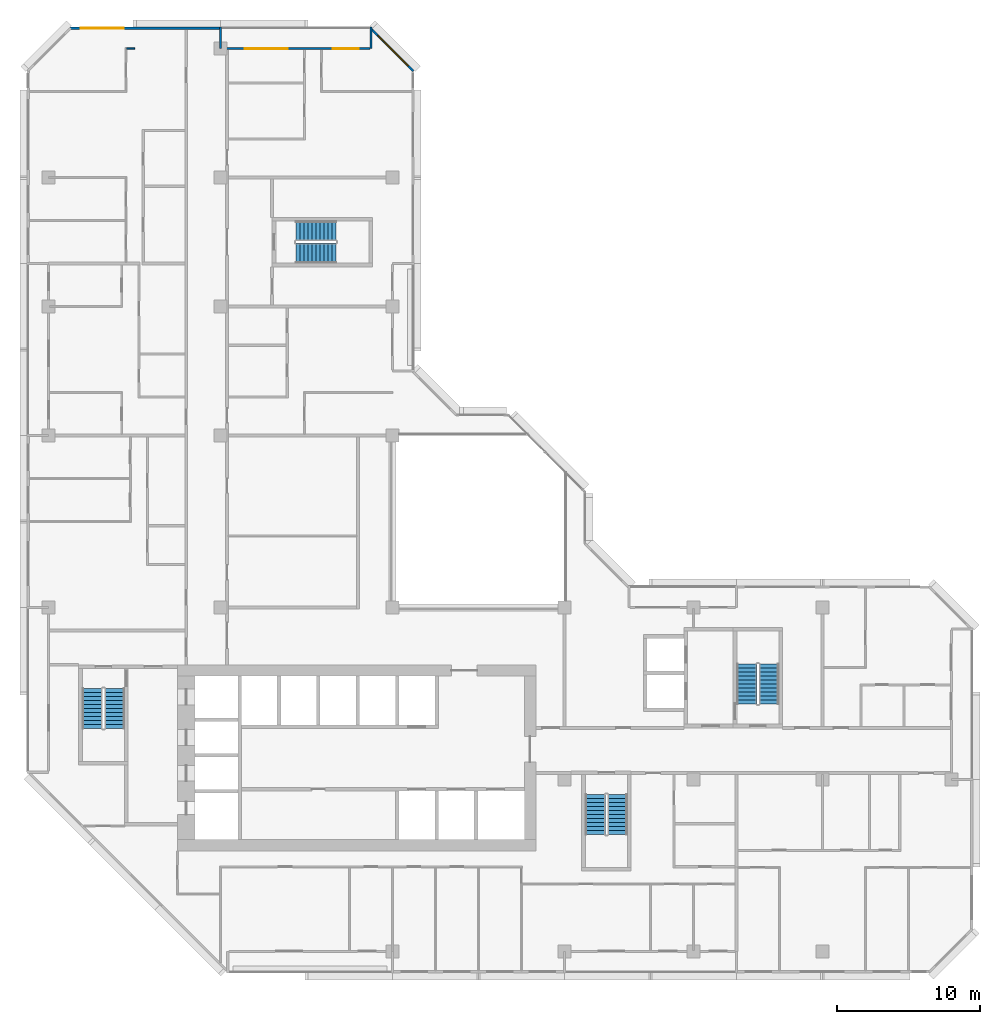
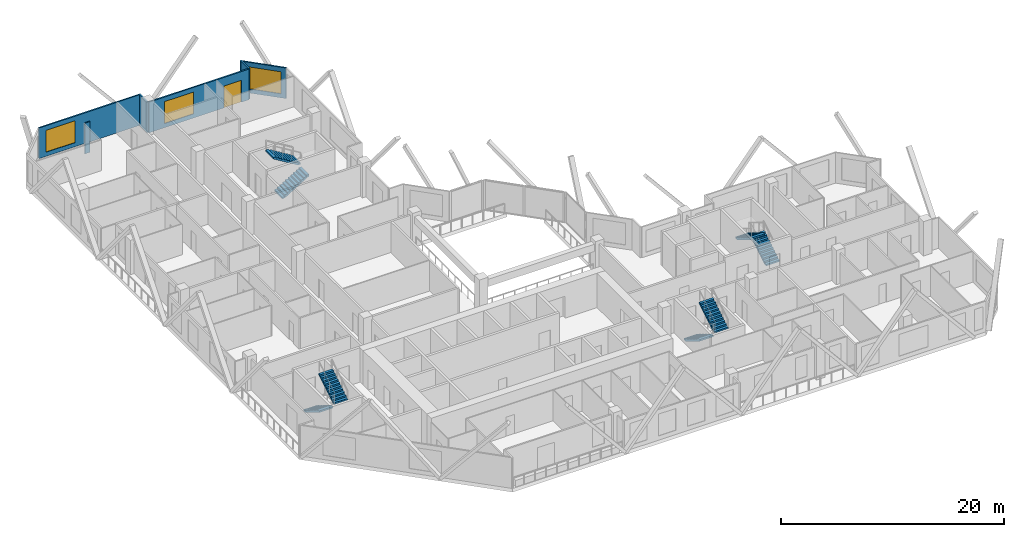
# One storey, part 12 of 14: 8 stair flights, 6 walls, 3 windows, 1 door, 4 openings, 4 elements without a shape of their own.
"""IFC4 building model written with IfcOpenShell, lengths in metres."""

from ifc_helpers import new_model, si_unit, direction, frame, frame_2d, origin, place, context, subcontext, project, spatial, polyline, rectangle, outline, extrude, material, layer, layer_set, type_object, element, fill, aggregate, save


model = new_model("IFC4")

# Units and contexts
model_context = context("Model", 3, precision=1e-05, world=origin(), true_north=direction((0.0, 1.0)))
body_context = subcontext(model_context, "Body", "Model", "MODEL_VIEW")
ifc_project = project(units=[si_unit("LENGTHUNIT", "METRE"), si_unit("AREAUNIT", "SQUARE_METRE"), si_unit("VOLUMEUNIT", "CUBIC_METRE"), si_unit("PLANEANGLEUNIT", "RADIAN"), si_unit("MASSUNIT", "GRAM", prefix="KILO")], contexts=[model_context])

# Site, building, storey
site_placement = place(None, origin())
site = spatial("IfcSite", under=ifc_project, at=site_placement, CompositionType="ELEMENT")
building_placement = place(site_placement, origin())
building = spatial("IfcBuilding", under=site, at=building_placement, Name="Chenar Terraces", CompositionType="ELEMENT")
storey_placement = place(building_placement, frame((0.0, 0.0, 179.89990234375)))
storey = spatial("IfcBuildingStorey", under=building, at=storey_placement, Name="L41", CompositionType="ELEMENT", Elevation=179.89990234375)

# Wall, opening, window
ifc_material_1 = material(Name="Aluminium framed glazing", Category="aluminium")
ifc_layer_1 = layer(ifc_material_1, 0.14990234375)
ifc_layer_set_1 = layer_set([ifc_layer_1], Name="Aluminium framed glazing")
wall_type_1 = type_object("IfcWallType", Name="Glazed flush facade wall 150", PredefinedType="SOLIDWALL", material=ifc_layer_set_1)
wall_1_placement = place(storey_placement, frame((11.925048828125, 64.425048828125, 0.0), z_axis=(0.0, 0.0, 1.0), x_axis=(-1.0, 0.0, 0.0)))
wall_1 = element("IfcWall", 1, at=wall_1_placement, inside=storey, type_object=wall_type_1, Name="Glazed flush facade wall", PredefinedType="SOLIDWALL", context=body_context, shape_type="SweptSolid", body=[
    extrude(rectangle(XDim=10.425048828125, YDim=0.14990234375, at=frame_2d((5.21240234375, 0.0))), origin(), (0.0, 0.0, 1.0), 3.35009765625),
])
opening_1_placement = place(wall_1_placement, frame((6.675048828125, 0.0, 0.449951171875)))
opening_1 = element("IfcOpeningElement", 2, at=opening_1_placement, cuts=wall_1, Name="Opening W300x240", PredefinedType="OPENING", context=body_context, shape_type="SweptSolid", body=[
    extrude(rectangle(XDim=3.0, YDim=2.39990234375, at=frame_2d((1.5, 1.199951171875))), frame((0.0, 0.0849609375, 0.0), z_axis=(0.0, -1.0, 0.0), x_axis=(1.0, 0.0, 0.0)), (0.0, 0.0, 1.0), 0.169921875),
])
ifc_material_2 = material(Name="Low emissivity double glazing, aluminium frame", Category="aluminium")
window_type = type_object("IfcWindowType", Name="Fixed light 3000 x 2400", PartitioningType="SINGLE_PANEL", PredefinedType="WINDOW", material=ifc_material_2)
window_1_placement = place(opening_1_placement, origin())
window_1 = element("IfcWindow", 3, at=window_1_placement, inside=storey, type_object=window_type, Name="Window", OverallHeight=2.39990234375, OverallWidth=3.0, PartitioningType="SINGLE_PANEL", PredefinedType="WINDOW", context=body_context, shape_type="SweptSolid", body=[
    extrude(rectangle(XDim=3.0, YDim=2.39990234375, at=frame_2d((1.5, 1.199951171875))), frame((0.0, 0.030029296875, 0.0), z_axis=(0.0, -1.0, 0.0), x_axis=(1.0, 0.0, 0.0)), (0.0, 0.0, 1.0), 0.06005859375),
])
fill(opening_1, window_1)

# Wall, openings, window, door
ifc_material_3 = material(Name="Aluminium framed glazing", Category="aluminium")
ifc_layer_2 = layer(ifc_material_3, 0.14990234375)
ifc_layer_set_2 = layer_set([ifc_layer_2], Name="Aluminium framed glazing")
wall_type_2 = type_object("IfcWallType", Name="Glazed loggia back wall 150", PredefinedType="SOLIDWALL", material=ifc_layer_set_2)
wall_2_placement = place(storey_placement, frame((22.425048828125, 63.0, 0.0), z_axis=(0.0, 0.0, 1.0), x_axis=(-1.0, 0.0, 0.0)))
wall_2 = element("IfcWall", 4, at=wall_2_placement, inside=storey, type_object=wall_type_2, Name="Glazed loggia back wall", PredefinedType="SOLIDWALL", context=body_context, shape_type="SweptSolid", body=[
    extrude(rectangle(XDim=10.35009765625, YDim=0.14990234375, at=frame_2d((5.175048828125, 0.0))), origin(), (0.0, 0.0, 1.0), 3.35009765625),
])
opening_2_placement = place(wall_2_placement, frame((0.78759765625, 0.0, 0.0)))
opening_2 = element("IfcOpeningElement", 5, at=opening_2_placement, cuts=wall_2, Name="Opening DL41-G2", PredefinedType="OPENING", context=body_context, shape_type="SweptSolid", body=[
    extrude(rectangle(XDim=1.800048828125, YDim=2.39990234375, at=frame_2d((0.89990234375, 1.199951171875))), frame((0.0, 0.0849609375, 0.0), z_axis=(0.0, -1.0, 0.0), x_axis=(1.0, 0.0, 0.0)), (0.0, 0.0, 1.0), 0.169921875),
])
opening_3_placement = place(wall_2_placement, frame((5.72509765625, 0.0, 0.449951171875)))
opening_3 = element("IfcOpeningElement", 6, at=opening_3_placement, cuts=wall_2, Name="Opening W300x240", PredefinedType="OPENING", context=body_context, shape_type="SweptSolid", body=[
    extrude(rectangle(XDim=3.0, YDim=2.39990234375, at=frame_2d((1.5, 1.199951171875))), frame((0.0, 0.0849609375, 0.0), z_axis=(0.0, -1.0, 0.0), x_axis=(1.0, 0.0, 0.0)), (0.0, 0.0, 1.0), 0.169921875),
])
window_2_placement = place(opening_3_placement, origin())
window_2 = element("IfcWindow", 7, at=window_2_placement, inside=storey, type_object=window_type, Name="Window", OverallHeight=2.39990234375, OverallWidth=3.0, PartitioningType="SINGLE_PANEL", PredefinedType="WINDOW", context=body_context, shape_type="SweptSolid", body=[
    extrude(rectangle(XDim=3.0, YDim=2.39990234375, at=frame_2d((1.5, 1.199951171875))), frame((0.0, 0.030029296875, 0.0), z_axis=(0.0, -1.0, 0.0), x_axis=(1.0, 0.0, 0.0)), (0.0, 0.0, 1.0), 0.06005859375),
])
fill(opening_3, window_2)
ifc_material_4 = material(Name="Low emissivity double glazing, aluminium frame", Category="aluminium")
door_type = type_object("IfcDoorType", Name="Loggia glazed double door 1800 x 2400", OperationType="DOUBLE_DOOR_SINGLE_SWING", PredefinedType="DOOR", material=ifc_material_4)
door_placement = place(opening_2_placement, frame((1.800048828125, 0.0, 0.0), z_axis=(0.0, 0.0, 1.0), x_axis=(-1.0, 0.0, 0.0)))
door = element("IfcDoor", 8, at=door_placement, inside=storey, type_object=door_type, Name="Loggia glazed door", OperationType="DOUBLE_DOOR_SINGLE_SWING", OverallHeight=2.39990234375, OverallWidth=1.800048828125, PredefinedType="DOOR", context=body_context, shape_type="SweptSolid", body=[
    extrude(rectangle(XDim=1.800048828125, YDim=2.39990234375, at=frame_2d((0.89990234375, 1.199951171875))), frame((0.0, 0.02490234375, 0.0), z_axis=(0.0, -1.0, 0.0), x_axis=(1.0, 0.0, 0.0)), (0.0, 0.0, 1.0), 0.050048828125),
])
fill(opening_2, door)

# Walls
ifc_material_5 = material(Name="Gypsum board on steel studs", Category="steel")
ifc_layer_3 = layer(ifc_material_5, 0.10009765625)
ifc_layer_set_3 = layer_set([ifc_layer_3], Name="Gypsum board on steel studs")
wall_type_3 = type_object("IfcWallType", Name="Gypsum partition 100", PredefinedType="PARTITIONING", material=ifc_layer_set_3)
wall_3_placement = place(storey_placement, frame((5.449951171875, 63.0, 0.0), z_axis=(0.0, 0.0, 1.0), x_axis=(1.0, 0.0, 0.0)))
element("IfcWall", 9, at=wall_3_placement, inside=storey, type_object=wall_type_3, Name="Partition L41-017", PredefinedType="PARTITIONING", context=body_context, shape_type="SweptSolid", body=[
    extrude(rectangle(XDim=0.550048828125, YDim=0.10009765625, at=frame_2d((0.27490234375, 0.0))), origin(), (0.0, 0.0, 1.0), 3.35009765625),
])
ifc_material_6 = material(Name="Terracotta cladding on insulated backing", Category="masonry")
ifc_layer_4 = layer(ifc_material_6, 0.14990234375)
ifc_layer_set_4 = layer_set([ifc_layer_4], Name="Terracotta cladding on insulated backing")
wall_type_4 = type_object("IfcWallType", Name="Loggia return wall 150", PredefinedType="SOLIDWALL", material=ifc_layer_set_4)
for number, where, z_axis, x_axis, name in (
    (10, (22.5, 64.5, 0.0), (0.0, 0.0, 1.0), (0.0, -1.0, 0.0), "Loggia return wall"),
    (11, (12.0, 64.5, 0.0), (0.0, 0.0, 1.0), (0.0, -1.0, 0.0), "Loggia return wall"),
):
    element("IfcWall", number, at=place(storey_placement, frame(where, z_axis=z_axis, x_axis=x_axis)), inside=storey, type_object=wall_type_4, Name=name, PredefinedType="SOLIDWALL", context=body_context, shape_type="SweptSolid", body=[
        extrude(rectangle(XDim=1.5, YDim=0.14990234375, at=frame_2d((0.75, 0.0))), origin(), (0.0, 0.0, 1.0), 3.35009765625),
    ])

# Wall, opening, window
ifc_material_7 = material(Name="Terracotta cladding on insulated backing", Category="masonry")
ifc_layer_5 = layer(ifc_material_7, 0.14990234375)
ifc_layer_set_5 = layer_set([ifc_layer_5], Name="Terracotta cladding on insulated backing")
wall_type_5 = type_object("IfcWallType", Name="Terracotta rainscreen wall 150", PredefinedType="SOLIDWALL", material=ifc_layer_set_5)
wall_4_placement = place(storey_placement, frame((25.447021484375, 61.447021484375, 0.0), z_axis=(0.0, 0.0, 1.0), x_axis=(-0.707106781187, 0.707106781187, 0.0)))
wall_4 = element("IfcWall", 12, at=wall_4_placement, inside=storey, type_object=wall_type_5, Name="Terracotta rainscreen wall", PredefinedType="SOLIDWALL", context=body_context, shape_type="SweptSolid", body=[
    extrude(rectangle(XDim=4.24267578125, YDim=0.14990234375, at=frame_2d((2.121337890625, 0.0))), origin(), (0.0, 0.0, 1.0), 3.35009765625),
])
opening_4_placement = place(wall_4_placement, frame((0.498046875, 0.0, 0.449951171875)))
opening_4 = element("IfcOpeningElement", 13, at=opening_4_placement, cuts=wall_4, Name="Opening W300x240", PredefinedType="OPENING", context=body_context, shape_type="SweptSolid", body=[
    extrude(rectangle(XDim=3.0, YDim=2.39990234375, at=frame_2d((1.5, 1.199951171875))), frame((0.0, 0.0849609375, 0.0), z_axis=(0.0, -1.0, 0.0), x_axis=(1.0, 0.0, 0.0)), (0.0, 0.0, 1.0), 0.169921875),
])
window_3_placement = place(opening_4_placement, origin())
window_3 = element("IfcWindow", 14, at=window_3_placement, inside=storey, type_object=window_type, Name="Window", OverallHeight=2.39990234375, OverallWidth=3.0, PartitioningType="SINGLE_PANEL", PredefinedType="WINDOW", context=body_context, shape_type="SweptSolid", body=[
    extrude(rectangle(XDim=3.0, YDim=2.39990234375, at=frame_2d((1.5, 1.199951171875))), frame((0.0, 0.030029296875, 0.0), z_axis=(0.0, -1.0, 0.0), x_axis=(1.0, 0.0, 0.0)), (0.0, 0.0, 1.0), 0.06005859375),
])
fill(opening_4, window_3)

# Stair, stair flights
ifc_material_8 = material(Name="Reinforced concrete C40/50", Category="concrete")
stair_type = type_object("IfcStairType", Name="Core stair 1400 half-turn", PredefinedType="HALF_TURN_STAIR", material=ifc_material_8)
placement = place(storey_placement, origin())
stair_1 = element("IfcStair", 15, at=placement, inside=storey, type_object=stair_type, Name="L41 Stair 1", PredefinedType="HALF_TURN_STAIR")
ifc_material_9 = material(Name="Reinforced concrete C40/50", Category="concrete")
stair_flight_type = type_object("IfcStairFlightType", Name="Core stair flight 1400", PredefinedType="STRAIGHT", material=ifc_material_9)
stair_flight_1_placement = place(storey_placement, frame((3.050048828125, 18.35009765625, 0.0), z_axis=(0.0, 0.0, 1.0), x_axis=(0.0, -1.0, 0.0)))
stair_flight_1 = element("IfcStairFlight", 16, at=stair_flight_1_placement, type_object=stair_flight_type, Name="ST1 flight 1", NumberOfRisers=11, NumberOfTreads=10, PredefinedType="STRAIGHT", RiserHeight=0.170454545, TreadLength=0.28, context=body_context, shape_type="SweptSolid", body=[
    extrude(outline(polyline([(-0.0029296875, 0.0), (-0.0029296875, 0.17041015625), (0.0, 0.17041015625), (0.280029296875, 0.17041015625), (0.280029296875, 0.3408203125), (0.56005859375, 0.3408203125), (0.56005859375, 0.511474609375), (0.840087890625, 0.511474609375), (0.840087890625, 0.681884765625), (1.1201171875, 0.681884765625), (1.1201171875, 0.852294921875), (1.39990234375, 0.852294921875), (1.39990234375, 1.022705078125), (1.679931640625, 1.022705078125), (1.679931640625, 1.193115234375), (1.9599609375, 1.193115234375), (1.9599609375, 1.363525390625), (2.239990234375, 1.363525390625), (2.239990234375, 1.5341796875), (2.52001953125, 1.5341796875), (2.52001953125, 1.70458984375), (2.800048828125, 1.70458984375), (2.802978515625, 1.70458984375), (2.802978515625, 1.529052734375), (2.800048828125, 1.529052734375), (0.288330078125, 0.0), (-0.0029296875, 0.0)])), frame((0.0, 0.699951171875, 0.0), z_axis=(0.0, -1.0, 0.0), x_axis=(1.0, 0.0, 0.0)), (0.0, 0.0, 1.0), 1.39990234375),
])
stair_flight_2_placement = place(storey_placement, frame((4.60009765625, 15.550048828125, 1.875), z_axis=(0.0, 0.0, 1.0), x_axis=(0.0, 1.0, 0.0)))
stair_flight_2 = element("IfcStairFlight", 17, at=stair_flight_2_placement, type_object=stair_flight_type, Name="ST1 flight 2", NumberOfRisers=11, NumberOfTreads=10, PredefinedType="STRAIGHT", RiserHeight=0.170454545, TreadLength=0.28, context=body_context, shape_type="SweptSolid", body=[
    extrude(outline(polyline([(-0.0029296875, 0.0), (-0.0029296875, 0.17041015625), (0.0, 0.17041015625), (0.280029296875, 0.17041015625), (0.280029296875, 0.3408203125), (0.56005859375, 0.3408203125), (0.56005859375, 0.511474609375), (0.840087890625, 0.511474609375), (0.840087890625, 0.681884765625), (1.1201171875, 0.681884765625), (1.1201171875, 0.852294921875), (1.39990234375, 0.852294921875), (1.39990234375, 1.022705078125), (1.679931640625, 1.022705078125), (1.679931640625, 1.193115234375), (1.9599609375, 1.193115234375), (1.9599609375, 1.363525390625), (2.239990234375, 1.363525390625), (2.239990234375, 1.5341796875), (2.52001953125, 1.5341796875), (2.52001953125, 1.70458984375), (2.800048828125, 1.70458984375), (2.802978515625, 1.70458984375), (2.802978515625, 1.529052734375), (2.800048828125, 1.529052734375), (0.288330078125, 0.0), (-0.0029296875, 0.0)])), frame((0.0, 0.699951171875, 0.0), z_axis=(0.0, -1.0, 0.0), x_axis=(1.0, 0.0, 0.0)), (0.0, 0.0, 1.0), 1.39990234375),
])
aggregate(stair_1, [stair_flight_1, stair_flight_2])

stair_2 = element("IfcStair", 18, at=placement, inside=storey, type_object=stair_type, Name="L41 Stair 2", PredefinedType="HALF_TURN_STAIR")
stair_flight_3_placement = place(storey_placement, frame((38.14990234375, 10.949951171875, 0.0), z_axis=(0.0, 0.0, 1.0), x_axis=(0.0, -1.0, 0.0)))
stair_flight_3 = element("IfcStairFlight", 19, at=stair_flight_3_placement, type_object=stair_flight_type, Name="ST2 flight 1", NumberOfRisers=11, NumberOfTreads=10, PredefinedType="STRAIGHT", RiserHeight=0.170454545, TreadLength=0.28, context=body_context, shape_type="SweptSolid", body=[
    extrude(outline(polyline([(-0.0029296875, 0.0), (-0.0029296875, 0.17041015625), (0.0, 0.17041015625), (0.280029296875, 0.17041015625), (0.280029296875, 0.3408203125), (0.56005859375, 0.3408203125), (0.56005859375, 0.511474609375), (0.840087890625, 0.511474609375), (0.840087890625, 0.681884765625), (1.1201171875, 0.681884765625), (1.1201171875, 0.852294921875), (1.39990234375, 0.852294921875), (1.39990234375, 1.022705078125), (1.679931640625, 1.022705078125), (1.679931640625, 1.193115234375), (1.9599609375, 1.193115234375), (1.9599609375, 1.363525390625), (2.239990234375, 1.363525390625), (2.239990234375, 1.5341796875), (2.52001953125, 1.5341796875), (2.52001953125, 1.70458984375), (2.800048828125, 1.70458984375), (2.802978515625, 1.70458984375), (2.802978515625, 1.529052734375), (2.800048828125, 1.529052734375), (0.288330078125, 0.0), (-0.0029296875, 0.0)])), frame((0.0, 0.699951171875, 0.0), z_axis=(0.0, -1.0, 0.0), x_axis=(1.0, 0.0, 0.0)), (0.0, 0.0, 1.0), 1.39990234375),
])
stair_flight_4_placement = place(storey_placement, frame((39.699951171875, 8.14990234375, 1.875), z_axis=(0.0, 0.0, 1.0), x_axis=(0.0, 1.0, 0.0)))
stair_flight_4 = element("IfcStairFlight", 20, at=stair_flight_4_placement, type_object=stair_flight_type, Name="ST2 flight 2", NumberOfRisers=11, NumberOfTreads=10, PredefinedType="STRAIGHT", RiserHeight=0.170454545, TreadLength=0.28, context=body_context, shape_type="SweptSolid", body=[
    extrude(outline(polyline([(-0.0029296875, 0.0), (-0.0029296875, 0.17041015625), (0.0, 0.17041015625), (0.280029296875, 0.17041015625), (0.280029296875, 0.3408203125), (0.56005859375, 0.3408203125), (0.56005859375, 0.511474609375), (0.840087890625, 0.511474609375), (0.840087890625, 0.681884765625), (1.1201171875, 0.681884765625), (1.1201171875, 0.852294921875), (1.39990234375, 0.852294921875), (1.39990234375, 1.022705078125), (1.679931640625, 1.022705078125), (1.679931640625, 1.193115234375), (1.9599609375, 1.193115234375), (1.9599609375, 1.363525390625), (2.239990234375, 1.363525390625), (2.239990234375, 1.5341796875), (2.52001953125, 1.5341796875), (2.52001953125, 1.70458984375), (2.800048828125, 1.70458984375), (2.802978515625, 1.70458984375), (2.802978515625, 1.529052734375), (2.800048828125, 1.529052734375), (0.288330078125, 0.0), (-0.0029296875, 0.0)])), frame((0.0, 0.699951171875, 0.0), z_axis=(0.0, -1.0, 0.0), x_axis=(1.0, 0.0, 0.0)), (0.0, 0.0, 1.0), 1.39990234375),
])
aggregate(stair_2, [stair_flight_3, stair_flight_4])

stair_3 = element("IfcStair", 21, at=placement, inside=storey, type_object=stair_type, Name="L41 Stair 3", PredefinedType="HALF_TURN_STAIR")
stair_flight_5_placement = place(storey_placement, frame((50.27490234375, 17.25, 0.0), z_axis=(0.0, 0.0, 1.0), x_axis=(0.0, 1.0, 0.0)))
stair_flight_5 = element("IfcStairFlight", 22, at=stair_flight_5_placement, type_object=stair_flight_type, Name="ST3 flight 1", NumberOfRisers=11, NumberOfTreads=10, PredefinedType="STRAIGHT", RiserHeight=0.170454545, TreadLength=0.28, context=body_context, shape_type="SweptSolid", body=[
    extrude(outline(polyline([(-0.0029296875, 0.0), (-0.0029296875, 0.17041015625), (0.0, 0.17041015625), (0.280029296875, 0.17041015625), (0.280029296875, 0.3408203125), (0.56005859375, 0.3408203125), (0.56005859375, 0.511474609375), (0.840087890625, 0.511474609375), (0.840087890625, 0.681884765625), (1.1201171875, 0.681884765625), (1.1201171875, 0.852294921875), (1.39990234375, 0.852294921875), (1.39990234375, 1.022705078125), (1.679931640625, 1.022705078125), (1.679931640625, 1.193115234375), (1.9599609375, 1.193115234375), (1.9599609375, 1.363525390625), (2.239990234375, 1.363525390625), (2.239990234375, 1.5341796875), (2.52001953125, 1.5341796875), (2.52001953125, 1.70458984375), (2.800048828125, 1.70458984375), (2.802978515625, 1.70458984375), (2.802978515625, 1.529052734375), (2.800048828125, 1.529052734375), (0.288330078125, 0.0), (-0.0029296875, 0.0)])), frame((0.0, 0.699951171875, 0.0), z_axis=(0.0, -1.0, 0.0), x_axis=(1.0, 0.0, 0.0)), (0.0, 0.0, 1.0), 1.39990234375),
])
stair_flight_6_placement = place(storey_placement, frame((48.72509765625, 20.050048828125, 1.875), z_axis=(0.0, 0.0, 1.0), x_axis=(0.0, -1.0, 0.0)))
stair_flight_6 = element("IfcStairFlight", 23, at=stair_flight_6_placement, type_object=stair_flight_type, Name="ST3 flight 2", NumberOfRisers=11, NumberOfTreads=10, PredefinedType="STRAIGHT", RiserHeight=0.170454545, TreadLength=0.28, context=body_context, shape_type="SweptSolid", body=[
    extrude(outline(polyline([(-0.0029296875, 0.0), (-0.0029296875, 0.17041015625), (0.0, 0.17041015625), (0.280029296875, 0.17041015625), (0.280029296875, 0.3408203125), (0.56005859375, 0.3408203125), (0.56005859375, 0.511474609375), (0.840087890625, 0.511474609375), (0.840087890625, 0.681884765625), (1.1201171875, 0.681884765625), (1.1201171875, 0.852294921875), (1.39990234375, 0.852294921875), (1.39990234375, 1.022705078125), (1.679931640625, 1.022705078125), (1.679931640625, 1.193115234375), (1.9599609375, 1.193115234375), (1.9599609375, 1.363525390625), (2.239990234375, 1.363525390625), (2.239990234375, 1.5341796875), (2.52001953125, 1.5341796875), (2.52001953125, 1.70458984375), (2.800048828125, 1.70458984375), (2.802978515625, 1.70458984375), (2.802978515625, 1.529052734375), (2.800048828125, 1.529052734375), (0.288330078125, 0.0), (-0.0029296875, 0.0)])), frame((0.0, 0.699951171875, 0.0), z_axis=(0.0, -1.0, 0.0), x_axis=(1.0, 0.0, 0.0)), (0.0, 0.0, 1.0), 1.39990234375),
])
aggregate(stair_3, [stair_flight_5, stair_flight_6])

stair_4 = element("IfcStair", 24, at=placement, inside=storey, type_object=stair_type, Name="L41 Stair 4", PredefinedType="HALF_TURN_STAIR")
stair_flight_7_placement = place(storey_placement, frame((17.25, 48.72509765625, 0.0), z_axis=(0.0, 0.0, 1.0), x_axis=(1.0, 0.0, 0.0)))
stair_flight_7 = element("IfcStairFlight", 25, at=stair_flight_7_placement, type_object=stair_flight_type, Name="ST4 flight 1", NumberOfRisers=11, NumberOfTreads=10, PredefinedType="STRAIGHT", RiserHeight=0.170454545, TreadLength=0.28, context=body_context, shape_type="SweptSolid", body=[
    extrude(outline(polyline([(-0.0029296875, 0.0), (-0.0029296875, 0.17041015625), (0.0, 0.17041015625), (0.280029296875, 0.17041015625), (0.280029296875, 0.3408203125), (0.56005859375, 0.3408203125), (0.56005859375, 0.511474609375), (0.840087890625, 0.511474609375), (0.840087890625, 0.681884765625), (1.1201171875, 0.681884765625), (1.1201171875, 0.852294921875), (1.39990234375, 0.852294921875), (1.39990234375, 1.022705078125), (1.679931640625, 1.022705078125), (1.679931640625, 1.193115234375), (1.9599609375, 1.193115234375), (1.9599609375, 1.363525390625), (2.239990234375, 1.363525390625), (2.239990234375, 1.5341796875), (2.52001953125, 1.5341796875), (2.52001953125, 1.70458984375), (2.800048828125, 1.70458984375), (2.802978515625, 1.70458984375), (2.802978515625, 1.529052734375), (2.800048828125, 1.529052734375), (0.288330078125, 0.0), (-0.0029296875, 0.0)])), frame((0.0, 0.699951171875, 0.0), z_axis=(0.0, -1.0, 0.0), x_axis=(1.0, 0.0, 0.0)), (0.0, 0.0, 1.0), 1.39990234375),
])
stair_flight_8_placement = place(storey_placement, frame((20.050048828125, 50.27490234375, 1.875), z_axis=(0.0, 0.0, 1.0), x_axis=(-1.0, 0.0, 0.0)))
stair_flight_8 = element("IfcStairFlight", 26, at=stair_flight_8_placement, type_object=stair_flight_type, Name="ST4 flight 2", NumberOfRisers=11, NumberOfTreads=10, PredefinedType="STRAIGHT", RiserHeight=0.170454545, TreadLength=0.28, context=body_context, shape_type="SweptSolid", body=[
    extrude(outline(polyline([(-0.0029296875, 0.0), (-0.0029296875, 0.17041015625), (0.0, 0.17041015625), (0.280029296875, 0.17041015625), (0.280029296875, 0.3408203125), (0.56005859375, 0.3408203125), (0.56005859375, 0.511474609375), (0.840087890625, 0.511474609375), (0.840087890625, 0.681884765625), (1.1201171875, 0.681884765625), (1.1201171875, 0.852294921875), (1.39990234375, 0.852294921875), (1.39990234375, 1.022705078125), (1.679931640625, 1.022705078125), (1.679931640625, 1.193115234375), (1.9599609375, 1.193115234375), (1.9599609375, 1.363525390625), (2.239990234375, 1.363525390625), (2.239990234375, 1.5341796875), (2.52001953125, 1.5341796875), (2.52001953125, 1.70458984375), (2.800048828125, 1.70458984375), (2.802978515625, 1.70458984375), (2.802978515625, 1.529052734375), (2.800048828125, 1.529052734375), (0.288330078125, 0.0), (-0.0029296875, 0.0)])), frame((0.0, 0.699951171875, 0.0), z_axis=(0.0, -1.0, 0.0), x_axis=(1.0, 0.0, 0.0)), (0.0, 0.0, 1.0), 1.39990234375),
])
aggregate(stair_4, [stair_flight_7, stair_flight_8])

save(model, "model.ifc")
